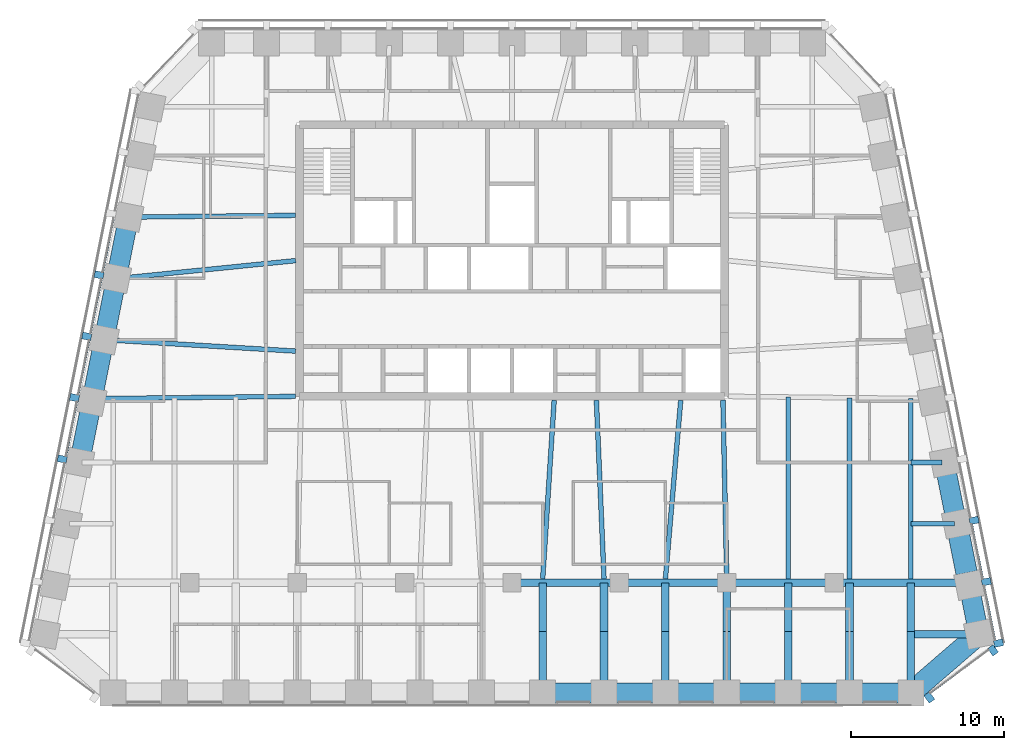
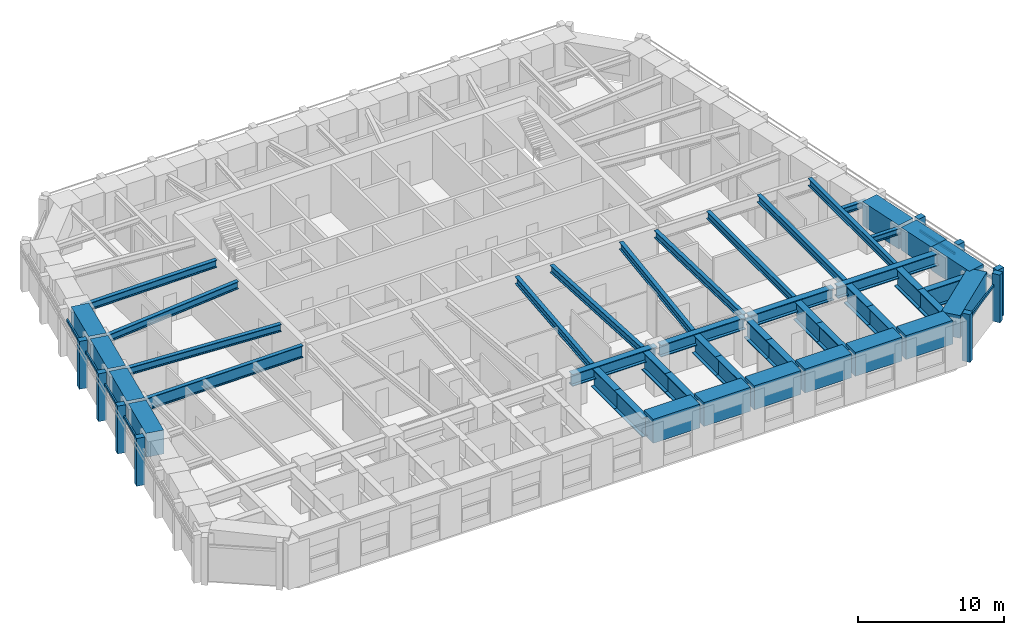
# One storey, part 2 of 11: 46 beams, 16 members, 3 elements without a shape of their own.
"""IFC4 building model written with IfcOpenShell, lengths in metres."""

from ifc_helpers import new_model, si_unit, direction, frame, origin, origin_2d, place, context, subcontext, project, spatial, rectangle, i_section, extrude, material, material_profile, profile_set, type_object, element, aggregate, save


model = new_model("IFC4")

# Units and contexts
model_context = context("Model", 3, precision=1e-05, world=origin(), true_north=direction((0.0, 1.0)))
body_context = subcontext(model_context, "Body", "Model", "MODEL_VIEW")
ifc_project = project(units=[si_unit("LENGTHUNIT", "METRE"), si_unit("AREAUNIT", "SQUARE_METRE"), si_unit("VOLUMEUNIT", "CUBIC_METRE"), si_unit("PLANEANGLEUNIT", "RADIAN"), si_unit("MASSUNIT", "GRAM", prefix="KILO")], contexts=[model_context])

# Site, building, storey
site_placement = place(None, origin())
site = spatial("IfcSite", under=ifc_project, at=site_placement, CompositionType="ELEMENT")
building_placement = place(site_placement, origin())
building = spatial("IfcBuilding", under=site, at=building_placement, Name="Isbrekke Arena Tower", CompositionType="ELEMENT")
storey_placement = place(building_placement, frame((0.0, 0.0, 268.0)))
storey = spatial("IfcBuildingStorey", under=building, at=storey_placement, Name="L62", CompositionType="ELEMENT", Elevation=268.0)

# Beams
ifc_material_1 = material(Name="Steel S355", Category="steel")
ifc_material_profile_1 = material_profile(ifc_material_1, i_section(OverallWidth=0.304931640625, OverallDepth=0.6201171875, WebThickness=0.02099609375, FlangeThickness=0.0400390625, FilletRadius=0.027099609375, at=origin_2d()), Name="HEM 600")
ifc_profile_set_1 = profile_set([ifc_material_profile_1], Name="Steel S355")
beam_type_1 = type_object("IfcBeamType", Name="B4 HEM 600", PredefinedType="BEAM", material=ifc_profile_set_1)
beam_1_placement = place(storey_placement, frame((2.000732421875, -5.740234375, 3.5400390625), z_axis=(0.064236369609, 0.997934711702, 0.0), x_axis=(-0.997934711702, 0.064236369609, 0.0)))
element("IfcBeam", 1, at=beam_1_placement, inside=storey, type_object=beam_type_1, Name="B4 beam C-M08 L62", PredefinedType="BEAM", context=body_context, shape_type="SweptSolid", body=[
    extrude(i_section(OverallWidth=0.304931640625, OverallDepth=0.6201171875, WebThickness=0.02099609375, FlangeThickness=0.0400390625, FilletRadius=0.027099609375, at=origin_2d()), origin(), (0.0, 0.0, 1.0), 11.664306640625),
])
beam_2_placement = place(storey_placement, frame((5.999755859375, -5.743408203125, 3.5400390625), z_axis=(-0.042882661228, 0.999080115589, 0.0), x_axis=(-0.999080115589, -0.042882661228, 0.0)))
element("IfcBeam", 2, at=beam_2_placement, inside=storey, type_object=beam_type_1, Name="B4 beam C-M09 L62", PredefinedType="BEAM", context=body_context, shape_type="SweptSolid", body=[
    extrude(i_section(OverallWidth=0.304931640625, OverallDepth=0.6201171875, WebThickness=0.02099609375, FlangeThickness=0.0400390625, FilletRadius=0.027099609375, at=origin_2d()), origin(), (0.0, 0.0, 1.0), 11.654052734375),
])
beam_3_placement = place(storey_placement, frame((10.001220703125, -5.737060546875, 3.5400390625), z_axis=(0.085513786118, 0.996336987361, 0.0), x_axis=(-0.996336987361, 0.085513786118, 0.0)))
element("IfcBeam", 3, at=beam_3_placement, inside=storey, type_object=beam_type_1, Name="B4 beam C-M10 L62", PredefinedType="BEAM", context=body_context, shape_type="SweptSolid", body=[
    extrude(i_section(OverallWidth=0.304931640625, OverallDepth=0.6201171875, WebThickness=0.02099609375, FlangeThickness=0.0400390625, FilletRadius=0.027099609375, at=origin_2d()), origin(), (0.0, 0.0, 1.0), 11.6796875),
])
beam_4_placement = place(storey_placement, frame((14.0, -5.8466796875, 3.5400390625), z_axis=(-0.021277968258, 0.999773598405, 0.0), x_axis=(-0.999773598405, -0.021277968258, 0.0)))
element("IfcBeam", 4, at=beam_4_placement, inside=storey, type_object=beam_type_1, Name="B4 beam C-M11 L62", PredefinedType="BEAM", context=body_context, shape_type="SweptSolid", body=[
    extrude(i_section(OverallWidth=0.304931640625, OverallDepth=0.6201171875, WebThickness=0.02099609375, FlangeThickness=0.0400390625, FilletRadius=0.027099609375, at=origin_2d()), origin(), (0.0, 0.0, 1.0), 11.749267578125),
])
beam_5_placement = place(storey_placement, frame((18.0, -5.75, 3.5400390625), z_axis=(0.0, 1.0, 0.0), x_axis=(-1.0, 0.0, 0.0)))
element("IfcBeam", 5, at=beam_5_placement, inside=storey, type_object=beam_type_1, Name="B4 beam C-M12 L62", PredefinedType="BEAM", context=body_context, shape_type="SweptSolid", body=[
    extrude(i_section(OverallWidth=0.304931640625, OverallDepth=0.6201171875, WebThickness=0.02099609375, FlangeThickness=0.0400390625, FilletRadius=0.027099609375, at=origin_2d()), origin(), (0.0, 0.0, 1.0), 11.85595703125),
])
beam_6_placement = place(storey_placement, frame((22.0, -5.75, 3.5400390625), z_axis=(0.0, 1.0, 0.0), x_axis=(-1.0, 0.0, 0.0)))
element("IfcBeam", 6, at=beam_6_placement, inside=storey, type_object=beam_type_1, Name="B4 beam C-M13 L62", PredefinedType="BEAM", context=body_context, shape_type="SweptSolid", body=[
    extrude(i_section(OverallWidth=0.304931640625, OverallDepth=0.6201171875, WebThickness=0.02099609375, FlangeThickness=0.0400390625, FilletRadius=0.027099609375, at=origin_2d()), origin(), (0.0, 0.0, 1.0), 11.810791015625),
])
beam_7_placement = place(storey_placement, frame((26.0, -5.75, 3.5400390625), z_axis=(0.0, 1.0, 0.0), x_axis=(-1.0, 0.0, 0.0)))
element("IfcBeam", 7, at=beam_7_placement, inside=storey, type_object=beam_type_1, Name="B4 beam C-M14 L62", PredefinedType="BEAM", context=body_context, shape_type="SweptSolid", body=[
    extrude(i_section(OverallWidth=0.304931640625, OverallDepth=0.6201171875, WebThickness=0.02099609375, FlangeThickness=0.0400390625, FilletRadius=0.027099609375, at=origin_2d()), origin(), (0.0, 0.0, 1.0), 11.765625),
])
beam_8_placement = place(storey_placement, frame((-24.83935546875, 17.838134765625, 3.5400390625), z_axis=(0.999945800258, 0.010411366203, 0.0), x_axis=(-0.010411366203, 0.999945800258, 0.0)))
element("IfcBeam", 8, at=beam_8_placement, inside=storey, type_object=beam_type_1, Name="B4 beam E-W03 L62", PredefinedType="BEAM", context=body_context, shape_type="SweptSolid", body=[
    extrude(i_section(OverallWidth=0.304931640625, OverallDepth=0.6201171875, WebThickness=0.02099609375, FlangeThickness=0.0400390625, FilletRadius=0.027099609375, at=origin_2d()), origin(), (0.0, 0.0, 1.0), 10.73974609375),
])
beam_9_placement = place(storey_placement, frame((-25.625732421875, 13.83984375, 3.5400390625), z_axis=(0.994972081505, 0.100152668587, 0.0), x_axis=(-0.100152668587, 0.994972081505, 0.0)))
element("IfcBeam", 9, at=beam_9_placement, inside=storey, type_object=beam_type_1, Name="B4 beam E-W04 L62", PredefinedType="BEAM", context=body_context, shape_type="SweptSolid", body=[
    extrude(i_section(OverallWidth=0.304931640625, OverallDepth=0.6201171875, WebThickness=0.02099609375, FlangeThickness=0.0400390625, FilletRadius=0.027099609375, at=origin_2d()), origin(), (0.0, 0.0, 1.0), 11.583984375),
])
beam_10_placement = place(storey_placement, frame((-26.431884765625, 9.837646484375, 3.5400390625), z_axis=(0.998216240514, -0.059702070095, 0.0), x_axis=(0.059702070095, 0.998216240514, 0.0)))
element("IfcBeam", 10, at=beam_10_placement, inside=storey, type_object=beam_type_1, Name="B4 beam E-W05 L62", PredefinedType="BEAM", context=body_context, shape_type="SweptSolid", body=[
    extrude(i_section(OverallWidth=0.304931640625, OverallDepth=0.6201171875, WebThickness=0.02099609375, FlangeThickness=0.0400390625, FilletRadius=0.027099609375, at=origin_2d()), origin(), (0.0, 0.0, 1.0), 12.353759765625),
])
ifc_material_2 = material(Name="Steel S355", Category="steel")
ifc_material_profile_2 = material_profile(ifc_material_2, i_section(OverallWidth=0.305908203125, OverallDepth=0.52392578125, WebThickness=0.02099609375, FlangeThickness=0.0400390625, FilletRadius=0.027099609375, at=origin_2d()), Name="HEM 500")
ifc_profile_set_2 = profile_set([ifc_material_profile_2], Name="Steel S355")
beam_type_2 = type_object("IfcBeamType", Name="B5 HEM 500", PredefinedType="BEAM", material=ifc_profile_set_2)
beam_11_placement = place(storey_placement, frame((28.841064453125, -2.161865234375, 3.587890625), z_axis=(-1.0, 0.0, 0.0), x_axis=(0.0, -1.0, 0.0)))
element("IfcBeam", 11, at=beam_11_placement, inside=storey, type_object=beam_type_2, Name="B5 beam E-E03 L62", PredefinedType="BEAM", context=body_context, shape_type="SweptSolid", body=[
    extrude(i_section(OverallWidth=0.305908203125, OverallDepth=0.52392578125, WebThickness=0.02099609375, FlangeThickness=0.0400390625, FilletRadius=0.027099609375, at=origin_2d()), origin(), (0.0, 0.0, 1.0), 2.841064453125),
])
beam_12_placement = place(storey_placement, frame((28.041015625, 1.838134765625, 3.587890625), z_axis=(-1.0, 0.0, 0.0), x_axis=(0.0, -1.0, 0.0)))
element("IfcBeam", 12, at=beam_12_placement, inside=storey, type_object=beam_type_2, Name="B5 beam E-E04 L62", PredefinedType="BEAM", context=body_context, shape_type="SweptSolid", body=[
    extrude(i_section(OverallWidth=0.305908203125, OverallDepth=0.52392578125, WebThickness=0.02099609375, FlangeThickness=0.0400390625, FilletRadius=0.027099609375, at=origin_2d()), origin(), (0.0, 0.0, 1.0), 2.041015625),
])

# Curtain wall, members
ifc_material_3 = material(Name="Glazed aluminium curtain wall", Category="aluminium")
curtain_wall_type = type_object("IfcCurtainWallType", Name="CWT TOWER CURTAIN WALL TOP ZONE", PredefinedType="USERDEFINED", material=ifc_material_3)
curtain_wall_1_placement = place(storey_placement, origin())
curtain_wall_1 = element("IfcCurtainWall", 13, at=curtain_wall_1_placement, inside=storey, type_object=curtain_wall_type, Name="CWT curtain wall L62-SE", ObjectType="TOWER CURTAIN WALL TOP ZONE", PredefinedType="USERDEFINED")
ifc_material_4 = material(Name="Copper-clad aluminium mullion", Category="aluminium")
ifc_material_profile_3 = material_profile(ifc_material_4, rectangle(XDim=0.449951171875, YDim=0.60009765625, at=origin_2d()), Name="PIER 450X600")
ifc_profile_set_3 = profile_set([ifc_material_profile_3], Name="Copper-clad aluminium mullion")
member_type_1 = type_object("IfcMemberType", Name="CWT-M PIER MULLION 450 x 600", PredefinedType="MULLION", material=ifc_profile_set_3)
member_1_placement = place(storey_placement, frame((27.206787109375, -13.4794921875, 0.0), z_axis=(0.0, 0.0, 1.0), x_axis=(0.803557193345, 0.595227550626, 0.0)))
member_1 = element("IfcMember", 14, at=member_1_placement, type_object=member_type_1, Name="CWT-M mullion 1", PredefinedType="MULLION", context=body_context, shape_type="SweptSolid", body=[
    extrude(rectangle(XDim=0.449951171875, YDim=0.60009765625, at=origin_2d()), origin(), (0.0, 0.0, 1.0), 4.0),
])
member_2_placement = place(storey_placement, frame((31.3564453125, -10.405517578125, 0.0), z_axis=(0.0, 0.0, 1.0), x_axis=(0.803557193345, 0.595227550626, 0.0)))
member_2 = element("IfcMember", 15, at=member_2_placement, type_object=member_type_1, Name="CWT-M mullion 2", PredefinedType="MULLION", context=body_context, shape_type="SweptSolid", body=[
    extrude(rectangle(XDim=0.449951171875, YDim=0.60009765625, at=origin_2d()), origin(), (0.0, 0.0, 1.0), 4.0),
])

curtain_wall_2_placement = place(storey_placement, origin())
curtain_wall_2 = element("IfcCurtainWall", 16, at=curtain_wall_2_placement, inside=storey, type_object=curtain_wall_type, Name="CWT curtain wall L62-E", ObjectType="TOWER CURTAIN WALL TOP ZONE", PredefinedType="USERDEFINED")
member_3_placement = place(storey_placement, frame((31.71875, -9.936279296875, 0.0), z_axis=(0.0, 0.0, 1.0), x_axis=(-0.196116135138, 0.980580675691, 0.0)))
member_3 = element("IfcMember", 17, at=member_3_placement, type_object=member_type_1, Name="CWT-M mullion 1", PredefinedType="MULLION", context=body_context, shape_type="SweptSolid", body=[
    extrude(rectangle(XDim=0.449951171875, YDim=0.60009765625, at=origin_2d()), origin(), (0.0, 0.0, 1.0), 4.0),
])
member_4_placement = place(storey_placement, frame((30.918701171875, -5.936279296875, 0.0), z_axis=(0.0, 0.0, 1.0), x_axis=(-0.196116135138, 0.980580675691, 0.0)))
member_4 = element("IfcMember", 18, at=member_4_placement, type_object=member_type_1, Name="CWT-M mullion 2", PredefinedType="MULLION", context=body_context, shape_type="SweptSolid", body=[
    extrude(rectangle(XDim=0.449951171875, YDim=0.60009765625, at=origin_2d()), origin(), (0.0, 0.0, 1.0), 4.0),
])
member_5_placement = place(storey_placement, frame((30.11865234375, -1.936279296875, 0.0), z_axis=(0.0, 0.0, 1.0), x_axis=(-0.196116135138, 0.980580675691, 0.0)))
member_5 = element("IfcMember", 19, at=member_5_placement, type_object=member_type_1, Name="CWT-M mullion 3", PredefinedType="MULLION", context=body_context, shape_type="SweptSolid", body=[
    extrude(rectangle(XDim=0.449951171875, YDim=0.60009765625, at=origin_2d()), origin(), (0.0, 0.0, 1.0), 4.0),
])

curtain_wall_3_placement = place(storey_placement, origin())
curtain_wall_3 = element("IfcCurtainWall", 20, at=curtain_wall_3_placement, inside=storey, type_object=curtain_wall_type, Name="CWT curtain wall L62-W", ObjectType="TOWER CURTAIN WALL TOP ZONE", PredefinedType="USERDEFINED")
member_6_placement = place(storey_placement, frame((-26.918701171875, 14.063720703125, 0.0), z_axis=(0.0, 0.0, 1.0), x_axis=(-0.196116135138, -0.980580675691, 0.0)))
member_6 = element("IfcMember", 21, at=member_6_placement, type_object=member_type_1, Name="CWT-M mullion 4", PredefinedType="MULLION", context=body_context, shape_type="SweptSolid", body=[
    extrude(rectangle(XDim=0.449951171875, YDim=0.60009765625, at=origin_2d()), origin(), (0.0, 0.0, 1.0), 4.0),
])
member_7_placement = place(storey_placement, frame((-27.71875, 10.063720703125, 0.0), z_axis=(0.0, 0.0, 1.0), x_axis=(-0.196116135138, -0.980580675691, 0.0)))
member_7 = element("IfcMember", 22, at=member_7_placement, type_object=member_type_1, Name="CWT-M mullion 5", PredefinedType="MULLION", context=body_context, shape_type="SweptSolid", body=[
    extrude(rectangle(XDim=0.449951171875, YDim=0.60009765625, at=origin_2d()), origin(), (0.0, 0.0, 1.0), 4.0),
])
member_8_placement = place(storey_placement, frame((-28.518798828125, 6.063720703125, 0.0), z_axis=(0.0, 0.0, 1.0), x_axis=(-0.196116135138, -0.980580675691, 0.0)))
member_8 = element("IfcMember", 23, at=member_8_placement, type_object=member_type_1, Name="CWT-M mullion 6", PredefinedType="MULLION", context=body_context, shape_type="SweptSolid", body=[
    extrude(rectangle(XDim=0.449951171875, YDim=0.60009765625, at=origin_2d()), origin(), (0.0, 0.0, 1.0), 4.0),
])
member_9_placement = place(storey_placement, frame((-29.318603515625, 2.063720703125, 0.0), z_axis=(0.0, 0.0, 1.0), x_axis=(-0.196116135138, -0.980580675691, 0.0)))
member_9 = element("IfcMember", 24, at=member_9_placement, type_object=member_type_1, Name="CWT-M mullion 7", PredefinedType="MULLION", context=body_context, shape_type="SweptSolid", body=[
    extrude(rectangle(XDim=0.449951171875, YDim=0.60009765625, at=origin_2d()), origin(), (0.0, 0.0, 1.0), 4.0),
])

# Member
ifc_material_5 = material(Name="Aluminium transom", Category="aluminium")
ifc_material_profile_4 = material_profile(ifc_material_5, rectangle(XDim=0.1201171875, YDim=0.199951171875, at=origin_2d()), Name="TRANSOM 120X200")
ifc_profile_set_4 = profile_set([ifc_material_profile_4], Name="Aluminium transom")
member_type_2 = type_object("IfcMemberType", Name="CWT-T TRANSOM 120 x 200", PredefinedType="USERDEFINED", material=ifc_profile_set_4)
member_10_placement = place(storey_placement, frame((27.2685546875, -13.184814453125, 3.0), z_axis=(0.803565450225, 0.595216403676, 0.0), x_axis=(-0.595216403676, 0.803565450225, 0.0)))
member_10 = element("IfcMember", 25, at=member_10_placement, type_object=member_type_2, Name="CWT-T transom 1", ObjectType="TRANSOM", PredefinedType="USERDEFINED", context=body_context, shape_type="SweptSolid", body=[
    extrude(rectangle(XDim=0.1201171875, YDim=0.199951171875, at=origin_2d()), origin(), (0.0, 0.0, 1.0), 4.714111328125),
])

aggregate(curtain_wall_1, [member_1, member_2, member_10])

member_11_placement = place(storey_placement, frame((31.478515625, -9.7548828125, 3.0), z_axis=(-0.196154943734, 0.980572913173, 0.0), x_axis=(-0.980572913173, -0.196154943734, 0.0)))
member_11 = element("IfcMember", 26, at=member_11_placement, type_object=member_type_2, Name="CWT-T transom 1", ObjectType="TRANSOM", PredefinedType="USERDEFINED", context=body_context, shape_type="SweptSolid", body=[
    extrude(rectangle(XDim=0.1201171875, YDim=0.199951171875, at=origin_2d()), origin(), (0.0, 0.0, 1.0), 3.62939453125),
])

member_12_placement = place(storey_placement, frame((30.678466796875, -5.7548828125, 3.0), z_axis=(-0.196090262229, 0.980585849918, 0.0), x_axis=(-0.980585849918, -0.196090262229, 0.0)))
member_12 = element("IfcMember", 27, at=member_12_placement, type_object=member_type_2, Name="CWT-T transom 2", ObjectType="TRANSOM", PredefinedType="USERDEFINED", context=body_context, shape_type="SweptSolid", body=[
    extrude(rectangle(XDim=0.1201171875, YDim=0.199951171875, at=origin_2d()), origin(), (0.0, 0.0, 1.0), 3.62939453125),
])

aggregate(curtain_wall_2, [member_3, member_4, member_5, member_11, member_12])

member_13_placement = place(storey_placement, frame((-25.966796875, 17.803955078125, 3.0), z_axis=(-0.196090262229, -0.980585849918, 0.0), x_axis=(0.980585849918, -0.196090262229, 0.0)))
member_13 = element("IfcMember", 28, at=member_13_placement, type_object=member_type_2, Name="CWT-T transom 3", ObjectType="TRANSOM", PredefinedType="USERDEFINED", context=body_context, shape_type="SweptSolid", body=[
    extrude(rectangle(XDim=0.1201171875, YDim=0.199951171875, at=origin_2d()), origin(), (0.0, 0.0, 1.0), 3.62939453125),
])

member_14_placement = place(storey_placement, frame((-26.7666015625, 13.803955078125, 3.0), z_axis=(-0.196154943734, -0.980572913173, 0.0), x_axis=(0.980572913173, -0.196154943734, 0.0)))
member_14 = element("IfcMember", 29, at=member_14_placement, type_object=member_type_2, Name="CWT-T transom 4", ObjectType="TRANSOM", PredefinedType="USERDEFINED", context=body_context, shape_type="SweptSolid", body=[
    extrude(rectangle(XDim=0.1201171875, YDim=0.199951171875, at=origin_2d()), origin(), (0.0, 0.0, 1.0), 3.62939453125),
])

member_15_placement = place(storey_placement, frame((-27.566650390625, 9.803955078125, 3.0), z_axis=(-0.196154943734, -0.980572913173, 0.0), x_axis=(0.980572913173, -0.196154943734, 0.0)))
member_15 = element("IfcMember", 30, at=member_15_placement, type_object=member_type_2, Name="CWT-T transom 5", ObjectType="TRANSOM", PredefinedType="USERDEFINED", context=body_context, shape_type="SweptSolid", body=[
    extrude(rectangle(XDim=0.1201171875, YDim=0.199951171875, at=origin_2d()), origin(), (0.0, 0.0, 1.0), 3.62939453125),
])

member_16_placement = place(storey_placement, frame((-28.36669921875, 5.803955078125, 3.0), z_axis=(-0.196090262229, -0.980585849918, 0.0), x_axis=(0.980585849918, -0.196090262229, 0.0)))
member_16 = element("IfcMember", 31, at=member_16_placement, type_object=member_type_2, Name="CWT-T transom 6", ObjectType="TRANSOM", PredefinedType="USERDEFINED", context=body_context, shape_type="SweptSolid", body=[
    extrude(rectangle(XDim=0.1201171875, YDim=0.199951171875, at=origin_2d()), origin(), (0.0, 0.0, 1.0), 3.62939453125),
])

aggregate(curtain_wall_3, [member_6, member_7, member_8, member_9, member_13, member_14, member_15, member_16])

# Beams
ifc_material_6 = material(Name="Steel S355", Category="steel")
ifc_material_profile_5 = material_profile(ifc_material_6, i_section(OverallWidth=0.302001953125, OverallDepth=1.008056640625, WebThickness=0.02099609375, FlangeThickness=0.0400390625, FilletRadius=0.030029296875, at=origin_2d()), Name="HEM 1000")
ifc_profile_set_5 = profile_set([ifc_material_profile_5], Name="Steel S355")
beam_type_3 = type_object("IfcBeamType", Name="G2 HEM 1000", PredefinedType="BEAM", material=ifc_profile_set_5)
beam_13_placement = place(storey_placement, frame((-14.10009765625, 6.14990234375, 3.345947265625), z_axis=(-0.999936387749, -0.011279204565, 0.0), x_axis=(0.011279204565, -0.999936387749, 0.0)))
element("IfcBeam", 32, at=beam_13_placement, inside=storey, type_object=beam_type_3, Name="G2 beam G2-W L62", PredefinedType="BEAM", context=body_context, shape_type="SweptSolid", body=[
    extrude(i_section(OverallWidth=0.302001953125, OverallDepth=1.008056640625, WebThickness=0.02099609375, FlangeThickness=0.0400390625, FilletRadius=0.030029296875, at=origin_2d()), origin(), (0.0, 0.0, 1.0), 13.2900390625),
])
ifc_material_7 = material(Name="Steel S355", Category="steel")
ifc_material_profile_6 = material_profile(ifc_material_7, i_section(OverallWidth=0.5, OverallDepth=1.0, WebThickness=0.0400390625, FlangeThickness=0.06005859375, at=origin_2d()), Name="PG 1000x500")
ifc_profile_set_6 = profile_set([ifc_material_profile_6], Name="Steel S355")
beam_type_4 = type_object("IfcBeamType", Name="G4 PG 1000x500", PredefinedType="BEAM", material=ifc_profile_set_6)
for number, where, z_axis, x_axis, name in (
    (33, (0.14990234375, -6.0, 3.35009765625), (1.0, 0.0, 0.0), (0.0, 1.0, 0.0), "G4 beam G1-05 L62"),
    (34, (7.14990234375, -6.0, 3.35009765625), (1.0, 0.0, 0.0), (0.0, 1.0, 0.0), "G4 beam G1-06 L62"),
    (35, (14.14990234375, -6.0, 3.35009765625), (1.0, 0.0, 0.0), (0.0, 1.0, 0.0), "G4 beam G1-07 L62"),
):
    element("IfcBeam", number, at=place(storey_placement, frame(where, z_axis=z_axis, x_axis=x_axis)), inside=storey, type_object=beam_type_4, Name=name, PredefinedType="BEAM", context=body_context, shape_type="SweptSolid", body=[
        extrude(i_section(OverallWidth=0.5, OverallDepth=1.0, WebThickness=0.0400390625, FlangeThickness=0.06005859375, at=origin_2d()), origin(), (0.0, 0.0, 1.0), 6.7001953125),
    ])
beam_14_placement = place(storey_placement, frame((21.14990234375, -6.0, 3.35009765625), z_axis=(1.0, 0.0, 0.0), x_axis=(0.0, 1.0, 0.0)))
element("IfcBeam", 36, at=beam_14_placement, inside=storey, type_object=beam_type_4, Name="G4 beam G1-08 L62", PredefinedType="BEAM", context=body_context, shape_type="SweptSolid", body=[
    extrude(i_section(OverallWidth=0.5, OverallDepth=1.0, WebThickness=0.0400390625, FlangeThickness=0.06005859375, at=origin_2d()), origin(), (0.0, 0.0, 1.0), 8.64111328125),
])
ifc_material_8 = material(Name="Concrete B55 (C55/67)", Category="concrete")
ifc_material_profile_7 = material_profile(ifc_material_8, rectangle(XDim=1.300048828125, YDim=2.0, at=origin_2d()), Name="RC 1300x2000")
ifc_profile_set_7 = profile_set([ifc_material_profile_7], Name="Concrete B55 (C55/67)")
beam_type_5 = type_object("IfcBeamType", Name="SB4 RC 1300 x 2000", PredefinedType="SPANDREL", material=ifc_profile_set_7)
for number, where, z_axis, x_axis, name in (
    (37, (2.14990234375, -13.175048828125, 3.0), (1.0, 0.0, 0.0), (0.0, 1.0, 0.0), "SB4 spandrel S08-S09 L62"),
    (38, (6.14990234375, -13.175048828125, 3.0), (1.0, 0.0, 0.0), (0.0, 1.0, 0.0), "SB4 spandrel S09-S10 L62"),
    (39, (10.14990234375, -13.175048828125, 3.0), (1.0, 0.0, 0.0), (0.0, 1.0, 0.0), "SB4 spandrel S10-S11 L62"),
    (40, (14.14990234375, -13.175048828125, 3.0), (1.0, 0.0, 0.0), (0.0, 1.0, 0.0), "SB4 spandrel S11-S12 L62"),
    (41, (18.14990234375, -13.175048828125, 3.0), (1.0, 0.0, 0.0), (0.0, 1.0, 0.0), "SB4 spandrel S12-S13 L62"),
    (42, (22.14990234375, -13.175048828125, 3.0), (1.0, 0.0, 0.0), (0.0, 1.0, 0.0), "SB4 spandrel S13-S14 L62"),
):
    element("IfcBeam", number, at=place(storey_placement, frame(where, z_axis=z_axis, x_axis=x_axis)), inside=storey, type_object=beam_type_5, Name=name, PredefinedType="SPANDREL", context=body_context, shape_type="SweptSolid", body=[
        extrude(rectangle(XDim=1.300048828125, YDim=2.0, at=origin_2d()), origin(), (0.0, 0.0, 1.0), 3.7001953125),
    ])
beam_15_placement = place(storey_placement, frame((30.39990234375, -9.205810546875, 3.0), z_axis=(-0.196151980621, 0.980573505913, 0.0), x_axis=(-0.980573505913, -0.196151980621, 0.0)))
element("IfcBeam", 43, at=beam_15_placement, inside=storey, type_object=beam_type_5, Name="SB4 spandrel E01-E02 L62", PredefinedType="SPANDREL", context=body_context, shape_type="SweptSolid", body=[
    extrude(rectangle(XDim=1.300048828125, YDim=2.0, at=origin_2d()), origin(), (0.0, 0.0, 1.0), 3.929443359375),
])
for number, where, z_axis, x_axis, name in (
    (44, (28.961669921875, -2.0146484375, 3.0), (-0.196128558387, 0.980578190959, 0.0), (-0.980578190959, -0.196128558387, 0.0), "SB4 spandrel E03-E04 L62"),
    (45, (-25.0205078125, 17.691162109375, 3.0), (-0.196128558387, -0.980578190959, 0.0), (0.980578190959, -0.196128558387, 0.0), "SB4 spandrel W03-W04 L62"),
):
    element("IfcBeam", number, at=place(storey_placement, frame(where, z_axis=z_axis, x_axis=x_axis)), inside=storey, type_object=beam_type_5, Name=name, PredefinedType="SPANDREL", context=body_context, shape_type="SweptSolid", body=[
        extrude(rectangle(XDim=1.300048828125, YDim=2.0, at=origin_2d()), origin(), (0.0, 0.0, 1.0), 3.779296875),
    ])
beam_16_placement = place(storey_placement, frame((-25.820556640625, 13.691162109375, 3.0), z_axis=(-0.1960664412, -0.980590613169, 0.0), x_axis=(0.980590613169, -0.1960664412, 0.0)))
element("IfcBeam", 46, at=beam_16_placement, inside=storey, type_object=beam_type_5, Name="SB4 spandrel W04-W05 L62", PredefinedType="SPANDREL", context=body_context, shape_type="SweptSolid", body=[
    extrude(rectangle(XDim=1.300048828125, YDim=2.0, at=origin_2d()), origin(), (0.0, 0.0, 1.0), 3.779052734375),
])
for number, where, z_axis, x_axis, name in (
    (47, (-26.620361328125, 9.691162109375, 3.0), (-0.196128558387, -0.980578190959, 0.0), (0.980578190959, -0.196128558387, 0.0), "SB4 spandrel W05-W06 L62"),
    (48, (-27.42041015625, 5.691162109375, 3.0), (-0.196128558387, -0.980578190959, 0.0), (0.980578190959, -0.196128558387, 0.0), "SB4 spandrel W06-W07 L62"),
):
    element("IfcBeam", number, at=place(storey_placement, frame(where, z_axis=z_axis, x_axis=x_axis)), inside=storey, type_object=beam_type_5, Name=name, PredefinedType="SPANDREL", context=body_context, shape_type="SweptSolid", body=[
        extrude(rectangle(XDim=1.300048828125, YDim=2.0, at=origin_2d()), origin(), (0.0, 0.0, 1.0), 3.779296875),
    ])
ifc_material_9 = material(Name="Concrete B55 (C55/67)", Category="concrete")
ifc_material_profile_8 = material_profile(ifc_material_9, rectangle(XDim=1.39990234375, YDim=1.89990234375, at=origin_2d()), Name="RC 1400 x 1900")
ifc_profile_set_8 = profile_set([ifc_material_profile_8], Name="Concrete B55 (C55/67)")
beam_type_6 = type_object("IfcBeamType", Name="SB5 RC 1400  x  1900", PredefinedType="SPANDREL", material=ifc_profile_set_8)
beam_17_placement = place(storey_placement, frame((26.113525390625, -13.076904296875, 3.050048828125), z_axis=(0.757103829862, 0.653294566646, 0.0), x_axis=(-0.653294566646, 0.757103829862, 0.0)))
element("IfcBeam", 49, at=beam_17_placement, inside=storey, type_object=beam_type_6, Name="SB5 spandrel S14-E01 L62", PredefinedType="SPANDREL", context=body_context, shape_type="SweptSolid", body=[
    extrude(rectangle(XDim=1.39990234375, YDim=1.89990234375, at=origin_2d()), origin(), (0.0, 0.0, 1.0), 5.55029296875),
])
beam_18_placement = place(storey_placement, frame((29.629150390625, -5.352783203125, 3.050048828125), z_axis=(-0.196070760782, 0.98058974947, 0.0), x_axis=(-0.98058974947, -0.196070760782, 0.0)))
element("IfcBeam", 50, at=beam_18_placement, inside=storey, type_object=beam_type_6, Name="SB5 spandrel E02-E03 L62", PredefinedType="SPANDREL", context=body_context, shape_type="SweptSolid", body=[
    extrude(rectangle(XDim=1.39990234375, YDim=1.89990234375, at=origin_2d()), origin(), (0.0, 0.0, 1.0), 3.104248046875),
])
ifc_material_10 = material(Name="Steel S355", Category="steel")
ifc_material_profile_9 = material_profile(ifc_material_10, i_section(OverallWidth=0.5, OverallDepth=1.60009765625, WebThickness=0.030029296875, FlangeThickness=0.06005859375, at=origin_2d()), Name="PG 1600x500")
ifc_profile_set_9 = profile_set([ifc_material_profile_9], Name="Steel S355")
beam_type_7 = type_object("IfcBeamType", Name="TG1 PG 1600x500", PredefinedType="BEAM", material=ifc_profile_set_9)
beam_19_placement = place(storey_placement, frame((2.0, -13.02490234375, 2.949951171875), z_axis=(0.0, 1.0, 0.0), x_axis=(-1.0, 0.0, 0.0)))
element("IfcBeam", 51, at=beam_19_placement, inside=storey, type_object=beam_type_7, Name="TG1 transfer girder S-S08 L62 part 1", PredefinedType="BEAM", context=body_context, shape_type="SweptSolid", body=[
    extrude(i_section(OverallWidth=0.5, OverallDepth=1.60009765625, WebThickness=0.030029296875, FlangeThickness=0.06005859375, at=origin_2d()), origin(), (0.0, 0.0, 1.0), 3.849853515625),
])
beam_20_placement = place(storey_placement, frame((2.0, -9.175048828125, 2.949951171875), z_axis=(0.0, 1.0, 0.0), x_axis=(-1.0, 0.0, 0.0)))
element("IfcBeam", 52, at=beam_20_placement, inside=storey, type_object=beam_type_7, Name="TG1 transfer girder S-S08 L62 part 2", PredefinedType="BEAM", context=body_context, shape_type="SweptSolid", body=[
    extrude(i_section(OverallWidth=0.5, OverallDepth=1.60009765625, WebThickness=0.030029296875, FlangeThickness=0.06005859375, at=origin_2d()), origin(), (0.0, 0.0, 1.0), 3.175048828125),
])
beam_21_placement = place(storey_placement, frame((6.0, -13.02490234375, 2.949951171875), z_axis=(0.0, 1.0, 0.0), x_axis=(-1.0, 0.0, 0.0)))
element("IfcBeam", 53, at=beam_21_placement, inside=storey, type_object=beam_type_7, Name="TG1 transfer girder S-S09 L62 part 1", PredefinedType="BEAM", context=body_context, shape_type="SweptSolid", body=[
    extrude(i_section(OverallWidth=0.5, OverallDepth=1.60009765625, WebThickness=0.030029296875, FlangeThickness=0.06005859375, at=origin_2d()), origin(), (0.0, 0.0, 1.0), 3.849853515625),
])
beam_22_placement = place(storey_placement, frame((6.0, -9.175048828125, 2.949951171875), z_axis=(0.0, 1.0, 0.0), x_axis=(-1.0, 0.0, 0.0)))
element("IfcBeam", 54, at=beam_22_placement, inside=storey, type_object=beam_type_7, Name="TG1 transfer girder S-S09 L62 part 2", PredefinedType="BEAM", context=body_context, shape_type="SweptSolid", body=[
    extrude(i_section(OverallWidth=0.5, OverallDepth=1.60009765625, WebThickness=0.030029296875, FlangeThickness=0.06005859375, at=origin_2d()), origin(), (0.0, 0.0, 1.0), 3.175048828125),
])
beam_23_placement = place(storey_placement, frame((10.0, -13.02490234375, 2.949951171875), z_axis=(0.0, 1.0, 0.0), x_axis=(-1.0, 0.0, 0.0)))
element("IfcBeam", 55, at=beam_23_placement, inside=storey, type_object=beam_type_7, Name="TG1 transfer girder S-S10 L62 part 1", PredefinedType="BEAM", context=body_context, shape_type="SweptSolid", body=[
    extrude(i_section(OverallWidth=0.5, OverallDepth=1.60009765625, WebThickness=0.030029296875, FlangeThickness=0.06005859375, at=origin_2d()), origin(), (0.0, 0.0, 1.0), 3.849853515625),
])
beam_24_placement = place(storey_placement, frame((10.0, -9.175048828125, 2.949951171875), z_axis=(0.0, 1.0, 0.0), x_axis=(-1.0, 0.0, 0.0)))
element("IfcBeam", 56, at=beam_24_placement, inside=storey, type_object=beam_type_7, Name="TG1 transfer girder S-S10 L62 part 2", PredefinedType="BEAM", context=body_context, shape_type="SweptSolid", body=[
    extrude(i_section(OverallWidth=0.5, OverallDepth=1.60009765625, WebThickness=0.030029296875, FlangeThickness=0.06005859375, at=origin_2d()), origin(), (0.0, 0.0, 1.0), 3.175048828125),
])
beam_25_placement = place(storey_placement, frame((14.0, -13.02490234375, 2.949951171875), z_axis=(0.0, 1.0, 0.0), x_axis=(-1.0, 0.0, 0.0)))
element("IfcBeam", 57, at=beam_25_placement, inside=storey, type_object=beam_type_7, Name="TG1 transfer girder S-S11 L62 part 1", PredefinedType="BEAM", context=body_context, shape_type="SweptSolid", body=[
    extrude(i_section(OverallWidth=0.5, OverallDepth=1.60009765625, WebThickness=0.030029296875, FlangeThickness=0.06005859375, at=origin_2d()), origin(), (0.0, 0.0, 1.0), 3.849853515625),
])
beam_26_placement = place(storey_placement, frame((14.0, -9.175048828125, 2.949951171875), z_axis=(0.0, 1.0, 0.0), x_axis=(-1.0, 0.0, 0.0)))
element("IfcBeam", 58, at=beam_26_placement, inside=storey, type_object=beam_type_7, Name="TG1 transfer girder S-S11 L62 part 2", PredefinedType="BEAM", context=body_context, shape_type="SweptSolid", body=[
    extrude(i_section(OverallWidth=0.5, OverallDepth=1.60009765625, WebThickness=0.030029296875, FlangeThickness=0.06005859375, at=origin_2d()), origin(), (0.0, 0.0, 1.0), 3.025146484375),
])
beam_27_placement = place(storey_placement, frame((18.0, -13.02490234375, 2.949951171875), z_axis=(0.0, 1.0, 0.0), x_axis=(-1.0, 0.0, 0.0)))
element("IfcBeam", 59, at=beam_27_placement, inside=storey, type_object=beam_type_7, Name="TG1 transfer girder S-S12 L62 part 1", PredefinedType="BEAM", context=body_context, shape_type="SweptSolid", body=[
    extrude(i_section(OverallWidth=0.5, OverallDepth=1.60009765625, WebThickness=0.030029296875, FlangeThickness=0.06005859375, at=origin_2d()), origin(), (0.0, 0.0, 1.0), 3.849853515625),
])
beam_28_placement = place(storey_placement, frame((18.0, -9.175048828125, 2.949951171875), z_axis=(0.0, 1.0, 0.0), x_axis=(-1.0, 0.0, 0.0)))
element("IfcBeam", 60, at=beam_28_placement, inside=storey, type_object=beam_type_7, Name="TG1 transfer girder S-S12 L62 part 2", PredefinedType="BEAM", context=body_context, shape_type="SweptSolid", body=[
    extrude(i_section(OverallWidth=0.5, OverallDepth=1.60009765625, WebThickness=0.030029296875, FlangeThickness=0.06005859375, at=origin_2d()), origin(), (0.0, 0.0, 1.0), 3.175048828125),
])
beam_29_placement = place(storey_placement, frame((22.0, -13.02490234375, 2.949951171875), z_axis=(0.0, 1.0, 0.0), x_axis=(-1.0, 0.0, 0.0)))
element("IfcBeam", 61, at=beam_29_placement, inside=storey, type_object=beam_type_7, Name="TG1 transfer girder S-S13 L62 part 1", PredefinedType="BEAM", context=body_context, shape_type="SweptSolid", body=[
    extrude(i_section(OverallWidth=0.5, OverallDepth=1.60009765625, WebThickness=0.030029296875, FlangeThickness=0.06005859375, at=origin_2d()), origin(), (0.0, 0.0, 1.0), 3.849853515625),
])
beam_30_placement = place(storey_placement, frame((22.0, -9.175048828125, 2.949951171875), z_axis=(0.0, 1.0, 0.0), x_axis=(-1.0, 0.0, 0.0)))
element("IfcBeam", 62, at=beam_30_placement, inside=storey, type_object=beam_type_7, Name="TG1 transfer girder S-S13 L62 part 2", PredefinedType="BEAM", context=body_context, shape_type="SweptSolid", body=[
    extrude(i_section(OverallWidth=0.5, OverallDepth=1.60009765625, WebThickness=0.030029296875, FlangeThickness=0.06005859375, at=origin_2d()), origin(), (0.0, 0.0, 1.0), 3.175048828125),
])
beam_31_placement = place(storey_placement, frame((26.0, -13.02490234375, 2.949951171875), z_axis=(0.0, 1.0, 0.0), x_axis=(-1.0, 0.0, 0.0)))
element("IfcBeam", 63, at=beam_31_placement, inside=storey, type_object=beam_type_7, Name="TG1 transfer girder S-S14 L62 part 1", PredefinedType="BEAM", context=body_context, shape_type="SweptSolid", body=[
    extrude(i_section(OverallWidth=0.5, OverallDepth=1.60009765625, WebThickness=0.030029296875, FlangeThickness=0.06005859375, at=origin_2d()), origin(), (0.0, 0.0, 1.0), 3.849853515625),
])
beam_32_placement = place(storey_placement, frame((26.0, -9.175048828125, 2.949951171875), z_axis=(0.0, 1.0, 0.0), x_axis=(-1.0, 0.0, 0.0)))
element("IfcBeam", 64, at=beam_32_placement, inside=storey, type_object=beam_type_7, Name="TG1 transfer girder S-S14 L62 part 2", PredefinedType="BEAM", context=body_context, shape_type="SweptSolid", body=[
    extrude(i_section(OverallWidth=0.5, OverallDepth=1.60009765625, WebThickness=0.030029296875, FlangeThickness=0.06005859375, at=origin_2d()), origin(), (0.0, 0.0, 1.0), 3.175048828125),
])
beam_33_placement = place(storey_placement, frame((30.279296875, -9.352783203125, 2.949951171875), z_axis=(-1.0, 0.0, 0.0), x_axis=(0.0, -1.0, 0.0)))
element("IfcBeam", 65, at=beam_33_placement, inside=storey, type_object=beam_type_7, Name="TG1 transfer girder E-E01 L62", PredefinedType="BEAM", context=body_context, shape_type="SweptSolid", body=[
    extrude(i_section(OverallWidth=0.5, OverallDepth=1.60009765625, WebThickness=0.030029296875, FlangeThickness=0.06005859375, at=origin_2d()), origin(), (0.0, 0.0, 1.0), 4.279296875),
])

save(model, "model.ifc")
